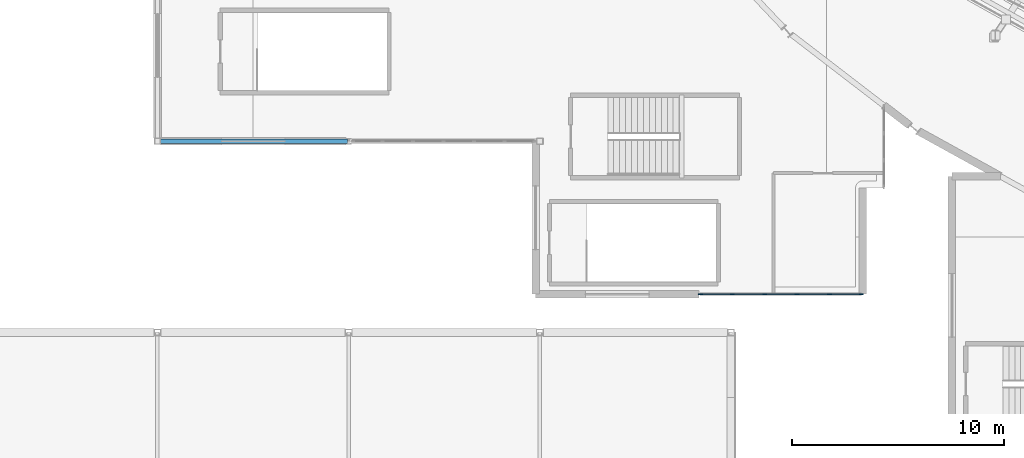
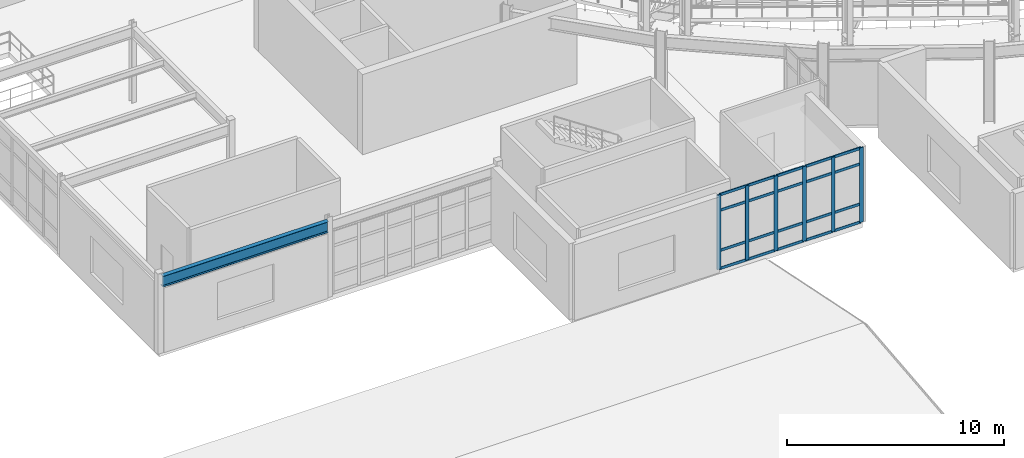
# One storey, part 17 of 81: 26 members, 1 beam, 1 element without a shape of its own.
"""IFC4 building model written with IfcOpenShell, lengths in metres."""

from ifc_helpers import new_model, si_unit, direction, frame, origin, origin_2d, place, context, subcontext, project, spatial, rectangle, i_section, extrude, material, material_profile, profile_set, type_object, element, aggregate, save


model = new_model("IFC4")

# Units and contexts
model_context = context("Model", 3, precision=1e-05, world=origin(), true_north=direction((0.0, 1.0)))
body_context = subcontext(model_context, "Body", "Model", "MODEL_VIEW")
ifc_project = project(units=[si_unit("LENGTHUNIT", "METRE"), si_unit("AREAUNIT", "SQUARE_METRE"), si_unit("VOLUMEUNIT", "CUBIC_METRE"), si_unit("PLANEANGLEUNIT", "RADIAN"), si_unit("MASSUNIT", "GRAM", prefix="KILO")], contexts=[model_context])

# Site, building, storey
site_placement = place(None, origin())
site = spatial("IfcSite", under=ifc_project, at=site_placement, CompositionType="ELEMENT")
building_placement = place(site_placement, origin())
building = spatial("IfcBuilding", under=site, at=building_placement, Name="Glasvene Arena", CompositionType="ELEMENT")
storey_placement = place(building_placement, frame((0.0, 0.0, 15.0)))
storey = spatial("IfcBuildingStorey", under=building, at=storey_placement, Name="L03", CompositionType="ELEMENT", Elevation=15.0)

# Beam
ifc_material_1 = material(Name="Steel S355J2", Category="steel")
ifc_material_profile_1 = material_profile(ifc_material_1, i_section(OverallWidth=0.228271484375, OverallDepth=0.607666015625, WebThickness=0.010986328125, FlangeThickness=0.017333984375, FilletRadius=0.0126953125, at=origin_2d()), Name="UKB 610x229x113")
ifc_profile_set_1 = profile_set([ifc_material_profile_1], Name="Steel S355J2")
beam_type = type_object("IfcBeamType", Name="BM-GIRD-610", PredefinedType="BEAM", material=ifc_profile_set_1)
beam_placement = place(storey_placement, frame((27.14501953125, 36.0, 3.9462890625), z_axis=(1.0, 0.0, 0.0), x_axis=(0.0, 1.0, 0.0)))
element("IfcBeam", 1, at=beam_placement, inside=storey, type_object=beam_type, Name="Primary X girder L03-0939", PredefinedType="BEAM", context=body_context, shape_type="SweptSolid", body=[
    extrude(i_section(OverallWidth=0.228271484375, OverallDepth=0.607666015625, WebThickness=0.010986328125, FlangeThickness=0.017333984375, FilletRadius=0.0126953125, at=origin_2d()), origin(), (0.0, 0.0, 1.0), 8.804931640625),
])

# Curtain wall, members
ifc_material_2 = material(Name="Low-emissivity laminated double glazing", Category="glass")
curtain_wall_type = type_object("IfcCurtainWallType", Name="CW-FAC-L03-762x419", PredefinedType="USERDEFINED", material=ifc_material_2)
curtain_wall_placement = place(storey_placement, frame((60.159912109375, 28.800048828125, 0.0)))
curtain_wall = element("IfcCurtainWall", 2, at=curtain_wall_placement, inside=storey, type_object=curtain_wall_type, Name="Unitised curtain wall CW-F-L03-180-564-288-70", ObjectType="CURTAIN WALL", PredefinedType="USERDEFINED")
ifc_material_3 = material(Name="Anodised architectural aluminium", Category="aluminium")
ifc_material_profile_2 = material_profile(ifc_material_3, rectangle(XDim=0.050048828125, YDim=0.199951171875, at=origin_2d()), Name="ALU MULLION 50x200")
ifc_profile_set_2 = profile_set([ifc_material_profile_2], Name="Anodised architectural aluminium")
member_type_1 = type_object("IfcMemberType", Name="CW-MUL-180", PredefinedType="MULLION", material=ifc_profile_set_2)
member_1_placement = place(storey_placement, frame((60.135009765625, 28.800048828125, 0.06005859375), z_axis=(0.0, 0.0, 1.0), x_axis=(0.0, -1.0, 0.0)))
member_1 = element("IfcMember", 3, at=member_1_placement, type_object=member_type_1, Name="CW-043 mullion 1", PredefinedType="MULLION", context=body_context, shape_type="SweptSolid", body=[
    extrude(rectangle(XDim=0.050048828125, YDim=0.199951171875, at=origin_2d()), origin(), (0.0, 0.0, 1.0), 4.18994140625),
])
member_2_placement = place(storey_placement, frame((58.635986328125, 28.800048828125, 0.06005859375), z_axis=(0.0, 0.0, 1.0), x_axis=(0.0, -1.0, 0.0)))
member_2 = element("IfcMember", 4, at=member_2_placement, type_object=member_type_1, Name="CW-043 mullion 2", PredefinedType="MULLION", context=body_context, shape_type="SweptSolid", body=[
    extrude(rectangle(XDim=0.050048828125, YDim=0.199951171875, at=origin_2d()), origin(), (0.0, 0.0, 1.0), 4.18994140625),
])
member_3_placement = place(storey_placement, frame((57.112060546875, 28.800048828125, 0.06005859375), z_axis=(0.0, 0.0, 1.0), x_axis=(0.0, -1.0, 0.0)))
member_3 = element("IfcMember", 5, at=member_3_placement, type_object=member_type_1, Name="CW-043 mullion 3", PredefinedType="MULLION", context=body_context, shape_type="SweptSolid", body=[
    extrude(rectangle(XDim=0.050048828125, YDim=0.199951171875, at=origin_2d()), origin(), (0.0, 0.0, 1.0), 4.18994140625),
])
member_4_placement = place(storey_placement, frame((55.587890625, 28.800048828125, 0.06005859375), z_axis=(0.0, 0.0, 1.0), x_axis=(0.0, -1.0, 0.0)))
member_4 = element("IfcMember", 6, at=member_4_placement, type_object=member_type_1, Name="CW-043 mullion 4", PredefinedType="MULLION", context=body_context, shape_type="SweptSolid", body=[
    extrude(rectangle(XDim=0.050048828125, YDim=0.199951171875, at=origin_2d()), origin(), (0.0, 0.0, 1.0), 4.18994140625),
])
member_5_placement = place(storey_placement, frame((54.06396484375, 28.800048828125, 0.06005859375), z_axis=(0.0, 0.0, 1.0), x_axis=(0.0, -1.0, 0.0)))
member_5 = element("IfcMember", 7, at=member_5_placement, type_object=member_type_1, Name="CW-043 mullion 5", PredefinedType="MULLION", context=body_context, shape_type="SweptSolid", body=[
    extrude(rectangle(XDim=0.050048828125, YDim=0.199951171875, at=origin_2d()), origin(), (0.0, 0.0, 1.0), 4.18994140625),
])
member_6_placement = place(storey_placement, frame((52.56494140625, 28.800048828125, 0.06005859375), z_axis=(0.0, 0.0, 1.0), x_axis=(0.0, -1.0, 0.0)))
member_6 = element("IfcMember", 8, at=member_6_placement, type_object=member_type_1, Name="CW-043 mullion 6", PredefinedType="MULLION", context=body_context, shape_type="SweptSolid", body=[
    extrude(rectangle(XDim=0.050048828125, YDim=0.199951171875, at=origin_2d()), origin(), (0.0, 0.0, 1.0), 4.18994140625),
])
ifc_material_profile_3 = material_profile(ifc_material_3, rectangle(XDim=0.050048828125, YDim=0.14990234375, at=origin_2d()), Name="ALU TRANSOM 50x150")
ifc_profile_set_3 = profile_set([ifc_material_profile_3], Name="Anodised architectural aluminium")
member_type_2 = type_object("IfcMemberType", Name="CW-TRN-150", PredefinedType="USERDEFINED", material=ifc_profile_set_3)
member_7_placement = place(storey_placement, frame((60.110107421875, 28.800048828125, 0.0849609375), z_axis=(-1.0, 0.0, 0.0), x_axis=(0.0, -1.0, 0.0)))
member_7 = element("IfcMember", 9, at=member_7_placement, type_object=member_type_2, Name="CW-043 transom 1.1", ObjectType="TRANSOM", PredefinedType="USERDEFINED", context=body_context, shape_type="SweptSolid", body=[
    extrude(rectangle(XDim=0.050048828125, YDim=0.14990234375, at=origin_2d()), origin(), (0.0, 0.0, 1.0), 1.44921875),
])
member_8_placement = place(storey_placement, frame((60.110107421875, 28.800048828125, 1.10009765625), z_axis=(-1.0, 0.0, 0.0), x_axis=(0.0, -1.0, 0.0)))
member_8 = element("IfcMember", 10, at=member_8_placement, type_object=member_type_2, Name="CW-043 transom 1.2", ObjectType="TRANSOM", PredefinedType="USERDEFINED", context=body_context, shape_type="SweptSolid", body=[
    extrude(rectangle(XDim=0.050048828125, YDim=0.14990234375, at=origin_2d()), origin(), (0.0, 0.0, 1.0), 1.44921875),
])
member_9_placement = place(storey_placement, frame((60.110107421875, 28.800048828125, 3.35009765625), z_axis=(-1.0, 0.0, 0.0), x_axis=(0.0, -1.0, 0.0)))
member_9 = element("IfcMember", 11, at=member_9_placement, type_object=member_type_2, Name="CW-043 transom 1.3", ObjectType="TRANSOM", PredefinedType="USERDEFINED", context=body_context, shape_type="SweptSolid", body=[
    extrude(rectangle(XDim=0.050048828125, YDim=0.14990234375, at=origin_2d()), origin(), (0.0, 0.0, 1.0), 1.44921875),
])
member_10_placement = place(storey_placement, frame((60.110107421875, 28.800048828125, 4.22509765625), z_axis=(-1.0, 0.0, 0.0), x_axis=(0.0, -1.0, 0.0)))
member_10 = element("IfcMember", 12, at=member_10_placement, type_object=member_type_2, Name="CW-043 transom 1.4", ObjectType="TRANSOM", PredefinedType="USERDEFINED", context=body_context, shape_type="SweptSolid", body=[
    extrude(rectangle(XDim=0.050048828125, YDim=0.14990234375, at=origin_2d()), origin(), (0.0, 0.0, 1.0), 1.44921875),
])
member_11_placement = place(storey_placement, frame((58.611083984375, 28.800048828125, 0.0849609375), z_axis=(-1.0, 0.0, 0.0), x_axis=(0.0, -1.0, 0.0)))
member_11 = element("IfcMember", 13, at=member_11_placement, type_object=member_type_2, Name="CW-043 transom 2.1", ObjectType="TRANSOM", PredefinedType="USERDEFINED", context=body_context, shape_type="SweptSolid", body=[
    extrude(rectangle(XDim=0.050048828125, YDim=0.14990234375, at=origin_2d()), origin(), (0.0, 0.0, 1.0), 1.47412109375),
])
member_12_placement = place(storey_placement, frame((58.611083984375, 28.800048828125, 1.10009765625), z_axis=(-1.0, 0.0, 0.0), x_axis=(0.0, -1.0, 0.0)))
member_12 = element("IfcMember", 14, at=member_12_placement, type_object=member_type_2, Name="CW-043 transom 2.2", ObjectType="TRANSOM", PredefinedType="USERDEFINED", context=body_context, shape_type="SweptSolid", body=[
    extrude(rectangle(XDim=0.050048828125, YDim=0.14990234375, at=origin_2d()), origin(), (0.0, 0.0, 1.0), 1.47412109375),
])
member_13_placement = place(storey_placement, frame((58.611083984375, 28.800048828125, 3.35009765625), z_axis=(-1.0, 0.0, 0.0), x_axis=(0.0, -1.0, 0.0)))
member_13 = element("IfcMember", 15, at=member_13_placement, type_object=member_type_2, Name="CW-043 transom 2.3", ObjectType="TRANSOM", PredefinedType="USERDEFINED", context=body_context, shape_type="SweptSolid", body=[
    extrude(rectangle(XDim=0.050048828125, YDim=0.14990234375, at=origin_2d()), origin(), (0.0, 0.0, 1.0), 1.47412109375),
])
member_14_placement = place(storey_placement, frame((58.611083984375, 28.800048828125, 4.22509765625), z_axis=(-1.0, 0.0, 0.0), x_axis=(0.0, -1.0, 0.0)))
member_14 = element("IfcMember", 16, at=member_14_placement, type_object=member_type_2, Name="CW-043 transom 2.4", ObjectType="TRANSOM", PredefinedType="USERDEFINED", context=body_context, shape_type="SweptSolid", body=[
    extrude(rectangle(XDim=0.050048828125, YDim=0.14990234375, at=origin_2d()), origin(), (0.0, 0.0, 1.0), 1.47412109375),
])
member_15_placement = place(storey_placement, frame((57.0869140625, 28.800048828125, 0.0849609375), z_axis=(-1.0, 0.0, 0.0), x_axis=(0.0, -1.0, 0.0)))
member_15 = element("IfcMember", 17, at=member_15_placement, type_object=member_type_2, Name="CW-043 transom 3.1", ObjectType="TRANSOM", PredefinedType="USERDEFINED", context=body_context, shape_type="SweptSolid", body=[
    extrude(rectangle(XDim=0.050048828125, YDim=0.14990234375, at=origin_2d()), origin(), (0.0, 0.0, 1.0), 1.473876953125),
])
member_16_placement = place(storey_placement, frame((57.0869140625, 28.800048828125, 1.10009765625), z_axis=(-1.0, 0.0, 0.0), x_axis=(0.0, -1.0, 0.0)))
member_16 = element("IfcMember", 18, at=member_16_placement, type_object=member_type_2, Name="CW-043 transom 3.2", ObjectType="TRANSOM", PredefinedType="USERDEFINED", context=body_context, shape_type="SweptSolid", body=[
    extrude(rectangle(XDim=0.050048828125, YDim=0.14990234375, at=origin_2d()), origin(), (0.0, 0.0, 1.0), 1.473876953125),
])
member_17_placement = place(storey_placement, frame((57.0869140625, 28.800048828125, 3.35009765625), z_axis=(-1.0, 0.0, 0.0), x_axis=(0.0, -1.0, 0.0)))
member_17 = element("IfcMember", 19, at=member_17_placement, type_object=member_type_2, Name="CW-043 transom 3.3", ObjectType="TRANSOM", PredefinedType="USERDEFINED", context=body_context, shape_type="SweptSolid", body=[
    extrude(rectangle(XDim=0.050048828125, YDim=0.14990234375, at=origin_2d()), origin(), (0.0, 0.0, 1.0), 1.473876953125),
])
member_18_placement = place(storey_placement, frame((57.0869140625, 28.800048828125, 4.22509765625), z_axis=(-1.0, 0.0, 0.0), x_axis=(0.0, -1.0, 0.0)))
member_18 = element("IfcMember", 20, at=member_18_placement, type_object=member_type_2, Name="CW-043 transom 3.4", ObjectType="TRANSOM", PredefinedType="USERDEFINED", context=body_context, shape_type="SweptSolid", body=[
    extrude(rectangle(XDim=0.050048828125, YDim=0.14990234375, at=origin_2d()), origin(), (0.0, 0.0, 1.0), 1.473876953125),
])
member_19_placement = place(storey_placement, frame((55.56298828125, 28.800048828125, 0.0849609375), z_axis=(-1.0, 0.0, 0.0), x_axis=(0.0, -1.0, 0.0)))
member_19 = element("IfcMember", 21, at=member_19_placement, type_object=member_type_2, Name="CW-043 transom 4.1", ObjectType="TRANSOM", PredefinedType="USERDEFINED", context=body_context, shape_type="SweptSolid", body=[
    extrude(rectangle(XDim=0.050048828125, YDim=0.14990234375, at=origin_2d()), origin(), (0.0, 0.0, 1.0), 1.473876953125),
])
member_20_placement = place(storey_placement, frame((55.56298828125, 28.800048828125, 1.10009765625), z_axis=(-1.0, 0.0, 0.0), x_axis=(0.0, -1.0, 0.0)))
member_20 = element("IfcMember", 22, at=member_20_placement, type_object=member_type_2, Name="CW-043 transom 4.2", ObjectType="TRANSOM", PredefinedType="USERDEFINED", context=body_context, shape_type="SweptSolid", body=[
    extrude(rectangle(XDim=0.050048828125, YDim=0.14990234375, at=origin_2d()), origin(), (0.0, 0.0, 1.0), 1.473876953125),
])
member_21_placement = place(storey_placement, frame((55.56298828125, 28.800048828125, 3.35009765625), z_axis=(-1.0, 0.0, 0.0), x_axis=(0.0, -1.0, 0.0)))
member_21 = element("IfcMember", 23, at=member_21_placement, type_object=member_type_2, Name="CW-043 transom 4.3", ObjectType="TRANSOM", PredefinedType="USERDEFINED", context=body_context, shape_type="SweptSolid", body=[
    extrude(rectangle(XDim=0.050048828125, YDim=0.14990234375, at=origin_2d()), origin(), (0.0, 0.0, 1.0), 1.473876953125),
])
member_22_placement = place(storey_placement, frame((55.56298828125, 28.800048828125, 4.22509765625), z_axis=(-1.0, 0.0, 0.0), x_axis=(0.0, -1.0, 0.0)))
member_22 = element("IfcMember", 24, at=member_22_placement, type_object=member_type_2, Name="CW-043 transom 4.4", ObjectType="TRANSOM", PredefinedType="USERDEFINED", context=body_context, shape_type="SweptSolid", body=[
    extrude(rectangle(XDim=0.050048828125, YDim=0.14990234375, at=origin_2d()), origin(), (0.0, 0.0, 1.0), 1.473876953125),
])
member_23_placement = place(storey_placement, frame((54.0390625, 28.800048828125, 0.0849609375), z_axis=(-1.0, 0.0, 0.0), x_axis=(0.0, -1.0, 0.0)))
member_23 = element("IfcMember", 25, at=member_23_placement, type_object=member_type_2, Name="CW-043 transom 5.1", ObjectType="TRANSOM", PredefinedType="USERDEFINED", context=body_context, shape_type="SweptSolid", body=[
    extrude(rectangle(XDim=0.050048828125, YDim=0.14990234375, at=origin_2d()), origin(), (0.0, 0.0, 1.0), 1.448974609375),
])
member_24_placement = place(storey_placement, frame((54.0390625, 28.800048828125, 1.10009765625), z_axis=(-1.0, 0.0, 0.0), x_axis=(0.0, -1.0, 0.0)))
member_24 = element("IfcMember", 26, at=member_24_placement, type_object=member_type_2, Name="CW-043 transom 5.2", ObjectType="TRANSOM", PredefinedType="USERDEFINED", context=body_context, shape_type="SweptSolid", body=[
    extrude(rectangle(XDim=0.050048828125, YDim=0.14990234375, at=origin_2d()), origin(), (0.0, 0.0, 1.0), 1.448974609375),
])
member_25_placement = place(storey_placement, frame((54.0390625, 28.800048828125, 3.35009765625), z_axis=(-1.0, 0.0, 0.0), x_axis=(0.0, -1.0, 0.0)))
member_25 = element("IfcMember", 27, at=member_25_placement, type_object=member_type_2, Name="CW-043 transom 5.3", ObjectType="TRANSOM", PredefinedType="USERDEFINED", context=body_context, shape_type="SweptSolid", body=[
    extrude(rectangle(XDim=0.050048828125, YDim=0.14990234375, at=origin_2d()), origin(), (0.0, 0.0, 1.0), 1.448974609375),
])
member_26_placement = place(storey_placement, frame((54.0390625, 28.800048828125, 4.22509765625), z_axis=(-1.0, 0.0, 0.0), x_axis=(0.0, -1.0, 0.0)))
member_26 = element("IfcMember", 28, at=member_26_placement, type_object=member_type_2, Name="CW-043 transom 5.4", ObjectType="TRANSOM", PredefinedType="USERDEFINED", context=body_context, shape_type="SweptSolid", body=[
    extrude(rectangle(XDim=0.050048828125, YDim=0.14990234375, at=origin_2d()), origin(), (0.0, 0.0, 1.0), 1.448974609375),
])
aggregate(curtain_wall, [member_1, member_2, member_3, member_4, member_5, member_6, member_7, member_8, member_9, member_10, member_11, member_12, member_13, member_14, member_15, member_16, member_17, member_18, member_19, member_20, member_21, member_22, member_23, member_24, member_25, member_26])

save(model, "model.ifc")
